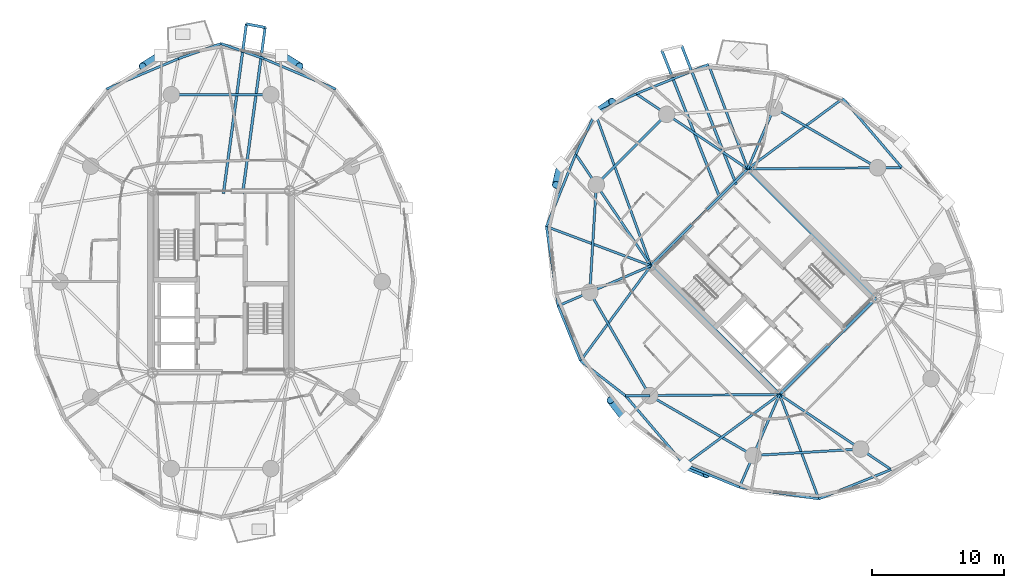
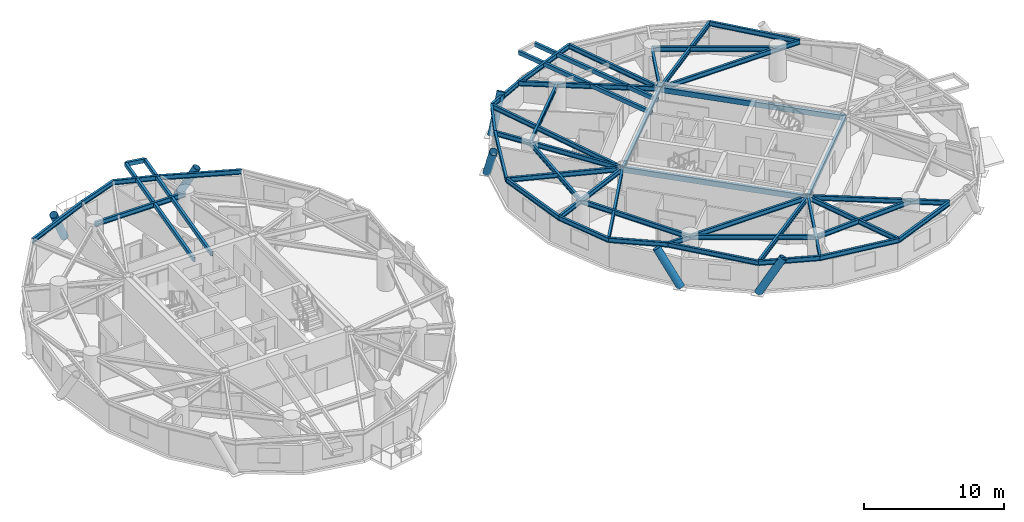
# One storey, part 6 of 19: 48 beams, 6 members.
"""IFC4 building model written with IfcOpenShell, lengths in metres."""

from ifc_helpers import new_model, si_unit, direction, frame, origin, origin_2d, place, context, subcontext, project, spatial, hollow_rectangle, hollow_circle, i_section, extrude, material, material_profile, profile_set, type_object, element, save


model = new_model("IFC4")

# Units and contexts
model_context = context("Model", 3, precision=1e-05, world=origin(), true_north=direction((0.0, 1.0)))
body_context = subcontext(model_context, "Body", "Model", "MODEL_VIEW")
ifc_project = project(units=[si_unit("LENGTHUNIT", "METRE"), si_unit("AREAUNIT", "SQUARE_METRE"), si_unit("VOLUMEUNIT", "CUBIC_METRE"), si_unit("PLANEANGLEUNIT", "RADIAN"), si_unit("MASSUNIT", "GRAM", prefix="KILO")], contexts=[model_context])

# Site, building, storey
site_placement = place(None, origin())
site = spatial("IfcSite", under=ifc_project, at=site_placement, CompositionType="ELEMENT")
building_placement = place(site_placement, origin())
building = spatial("IfcBuilding", under=site, at=building_placement, Name="Cununo Teusaquillo Station Towers", CompositionType="ELEMENT")
storey_placement = place(building_placement, frame((0.0, 0.0, 151.60009765625)))
storey = spatial("IfcBuildingStorey", under=building, at=storey_placement, Name="L47", CompositionType="ELEMENT", Elevation=151.60009765625)

# Beams
ifc_material_1 = material(Name="Steel EN 10025-2 S355J2", Category="steel")
ifc_material_profile_1 = material_profile(ifc_material_1, hollow_rectangle(XDim=0.199951171875, YDim=0.35009765625, WallThickness=0.013916015625, at=origin_2d()), Name="RHS 350x200x14")
ifc_profile_set_1 = profile_set([ifc_material_profile_1], Name="Steel EN 10025-2 S355J2")
beam_type_1 = type_object("IfcBeamType", Name="BM-BAL-CANT", PredefinedType="BEAM", material=ifc_profile_set_1)
beam_1_placement = place(storey_placement, frame((18.127685546875, 31.14990234375, 2.514892578125), z_axis=(0.134274846508, 0.990944128392, 0.0), x_axis=(-0.990944128392, 0.134274846508, 0.0)))
element("IfcBeam", 1, at=beam_1_placement, inside=storey, type_object=beam_type_1, Name="L47 Tower A Balcony Cantilever Bracket 1A", PredefinedType="BEAM", context=body_context, shape_type="SweptSolid", body=[
    extrude(hollow_rectangle(XDim=0.199951171875, YDim=0.35009765625, WallThickness=0.013916015625, at=origin_2d()), origin(), (0.0, 0.0, 1.0), 12.671142578125),
])
beam_2_placement = place(storey_placement, frame((16.674560546875, 31.14990234375, 2.514892578125), z_axis=(0.13427925042, 0.990943531644, 0.0), x_axis=(-0.990943531644, 0.13427925042, 0.0)))
element("IfcBeam", 2, at=beam_2_placement, inside=storey, type_object=beam_type_1, Name="L47 Tower A Balcony Cantilever Bracket 1B", PredefinedType="BEAM", context=body_context, shape_type="SweptSolid", body=[
    extrude(hollow_rectangle(XDim=0.199951171875, YDim=0.35009765625, WallThickness=0.013916015625, at=origin_2d()), origin(), (0.0, 0.0, 1.0), 12.947021484375),
])
beam_3_placement = place(storey_placement, frame((55.43115234375, 31.835693359375, 2.514892578125), z_axis=(-0.36614984416, 0.930555904619, 0.0), x_axis=(-0.930555904619, -0.36614984416, 0.0)))
element("IfcBeam", 3, at=beam_3_placement, inside=storey, type_object=beam_type_1, Name="L47 Tower B Balcony Cantilever Bracket 1A", PredefinedType="BEAM", context=body_context, shape_type="SweptSolid", body=[
    extrude(hollow_rectangle(XDim=0.199951171875, YDim=0.35009765625, WallThickness=0.013916015625, at=origin_2d()), origin(), (0.0, 0.0, 1.0), 11.26513671875),
])
beam_4_placement = place(storey_placement, frame((54.257568359375, 30.662109375, 2.514892578125), z_axis=(-0.366167663982, 0.93054889278, 0.0), x_axis=(-0.93054889278, -0.366167663982, 0.0)))
element("IfcBeam", 4, at=beam_4_placement, inside=storey, type_object=beam_type_1, Name="L47 Tower B Balcony Cantilever Bracket 1B", PredefinedType="BEAM", context=body_context, shape_type="SweptSolid", body=[
    extrude(hollow_rectangle(XDim=0.199951171875, YDim=0.35009765625, WallThickness=0.013916015625, at=origin_2d()), origin(), (0.0, 0.0, 1.0), 12.15087890625),
])
ifc_material_2 = material(Name="Steel EN 10025-2 S355J2", Category="steel")
ifc_material_profile_2 = material_profile(ifc_material_2, hollow_rectangle(XDim=0.25, YDim=0.449951171875, WallThickness=0.01611328125, at=origin_2d()), Name="RHS 450x250x16")
ifc_profile_set_2 = profile_set([ifc_material_profile_2], Name="Steel EN 10025-2 S355J2")
beam_type_2 = type_object("IfcBeamType", Name="BM-COUP-1", PredefinedType="USERDEFINED", material=ifc_profile_set_2)
for number, where, z_axis, x_axis, name in (
    (5, (58.70556640625, 15.975830078125, 2.46484375), (-0.707106781187, 0.707106781187, 0.0), (-0.707106781187, -0.707106781187, 0.0), "L47 Tower B Core Beam 1"),
    (6, (66.024169921875, 23.29443359375, 2.46484375), (-0.707106781187, 0.707106781187, 0.0), (-0.707106781187, -0.707106781187, 0.0), "L47 Tower B Core Beam 2"),
):
    element("IfcBeam", number, at=place(storey_placement, frame(where, z_axis=z_axis, x_axis=x_axis)), inside=storey, type_object=beam_type_2, Name=name, ObjectType="COUPLING BEAM", PredefinedType="USERDEFINED", context=body_context, shape_type="SweptSolid", body=[
        extrude(hollow_rectangle(XDim=0.25, YDim=0.449951171875, WallThickness=0.01611328125, at=origin_2d()), origin(), (0.0, 0.0, 1.0), 13.760009765625),
    ])
ifc_material_3 = material(Name="Steel ASTM A572 Grade 50", Category="steel")
ifc_material_profile_3 = material_profile(ifc_material_3, i_section(OverallWidth=0.180908203125, OverallDepth=0.4169921875, WebThickness=0.010986328125, FlangeThickness=0.018310546875, FilletRadius=0.012939453125, at=origin_2d()), Name="W16X57")
ifc_profile_set_3 = profile_set([ifc_material_profile_3], Name="Steel ASTM A572 Grade 50")
beam_type_3 = type_object("IfcBeamType", Name="BM-JOIST-1", PredefinedType="JOIST", material=ifc_profile_set_3)
beam_5_placement = place(storey_placement, frame((56.29443359375, 33.024169921875, 2.4814453125), z_axis=(0.803848430471, 0.594834179272, 0.0), x_axis=(-0.594834179272, 0.803848430471, 0.0)))
element("IfcBeam", 7, at=beam_5_placement, inside=storey, type_object=beam_type_3, Name="L47 Tower B Radial Spandrel Joist V01", PredefinedType="JOIST", context=body_context, shape_type="SweptSolid", body=[
    extrude(i_section(OverallWidth=0.180908203125, OverallDepth=0.4169921875, WebThickness=0.010986328125, FlangeThickness=0.018310546875, FilletRadius=0.012939453125, at=origin_2d()), origin(), (0.0, 0.0, 1.0), 8.936767578125),
])
beam_6_placement = place(storey_placement, frame((56.29443359375, 33.024169921875, 2.4814453125), z_axis=(-0.351348805076, 0.936244635323, 0.0), x_axis=(-0.936244635323, -0.351348805076, 0.0)))
element("IfcBeam", 8, at=beam_6_placement, inside=storey, type_object=beam_type_3, Name="L47 Tower B Radial Spandrel Joist V03", PredefinedType="JOIST", context=body_context, shape_type="SweptSolid", body=[
    extrude(i_section(OverallWidth=0.180908203125, OverallDepth=0.4169921875, WebThickness=0.010986328125, FlangeThickness=0.018310546875, FilletRadius=0.012939453125, at=origin_2d()), origin(), (0.0, 0.0, 1.0), 8.4287109375),
])
beam_7_placement = place(storey_placement, frame((48.975830078125, 25.70556640625, 2.4814453125), z_axis=(-0.34241791496, 0.939547748395, 0.0), x_axis=(-0.939547748395, -0.34241791496, 0.0)))
element("IfcBeam", 9, at=beam_7_placement, inside=storey, type_object=beam_type_3, Name="L47 Tower B Radial Spandrel Joist V05", PredefinedType="JOIST", context=body_context, shape_type="SweptSolid", body=[
    extrude(i_section(OverallWidth=0.180908203125, OverallDepth=0.4169921875, WebThickness=0.010986328125, FlangeThickness=0.018310546875, FilletRadius=0.012939453125, at=origin_2d()), origin(), (0.0, 0.0, 1.0), 12.25634765625),
])
beam_8_placement = place(storey_placement, frame((48.975830078125, 25.70556640625, 2.4814453125), z_axis=(-0.936244635323, 0.351348805076, 0.0), x_axis=(-0.351348805076, -0.936244635323, 0.0)))
element("IfcBeam", 10, at=beam_8_placement, inside=storey, type_object=beam_type_3, Name="L47 Tower B Radial Spandrel Joist V07", PredefinedType="JOIST", context=body_context, shape_type="SweptSolid", body=[
    extrude(i_section(OverallWidth=0.180908203125, OverallDepth=0.4169921875, WebThickness=0.010986328125, FlangeThickness=0.018310546875, FilletRadius=0.012939453125, at=origin_2d()), origin(), (0.0, 0.0, 1.0), 8.4287109375),
])
for number, where, z_axis, x_axis, name in (
    (11, (48.975830078125, 25.70556640625, 2.4814453125), (-0.594834179272, -0.803848430471, 0.0), (0.803848430471, -0.594834179272, 0.0), "L47 Tower B Radial Spandrel Joist V09"),
    (12, (58.70556640625, 15.975830078125, 2.4814453125), (-0.803848430471, -0.594834179272, 0.0), (0.594834179272, -0.803848430471, 0.0), "L47 Tower B Radial Spandrel Joist V11"),
):
    element("IfcBeam", number, at=place(storey_placement, frame(where, z_axis=z_axis, x_axis=x_axis)), inside=storey, type_object=beam_type_3, Name=name, PredefinedType="JOIST", context=body_context, shape_type="SweptSolid", body=[
        extrude(i_section(OverallWidth=0.180908203125, OverallDepth=0.4169921875, WebThickness=0.010986328125, FlangeThickness=0.018310546875, FilletRadius=0.012939453125, at=origin_2d()), origin(), (0.0, 0.0, 1.0), 8.936767578125),
    ])
beam_9_placement = place(storey_placement, frame((58.70556640625, 15.975830078125, 2.4814453125), z_axis=(0.351348805076, -0.936244635323, 0.0), x_axis=(0.936244635323, 0.351348805076, 0.0)))
element("IfcBeam", 13, at=beam_9_placement, inside=storey, type_object=beam_type_3, Name="L47 Tower B Radial Spandrel Joist V13", PredefinedType="JOIST", context=body_context, shape_type="SweptSolid", body=[
    extrude(i_section(OverallWidth=0.180908203125, OverallDepth=0.4169921875, WebThickness=0.010986328125, FlangeThickness=0.018310546875, FilletRadius=0.012939453125, at=origin_2d()), origin(), (0.0, 0.0, 1.0), 8.4287109375),
])
ifc_material_4 = material(Name="Steel ASTM A572 Grade 50", Category="steel")
ifc_material_profile_4 = material_profile(ifc_material_4, i_section(OverallWidth=0.2041015625, OverallDepth=0.35009765625, WebThickness=0.008544921875, FlangeThickness=0.01513671875, FilletRadius=0.011962890625, at=origin_2d()), Name="W14X48")
ifc_profile_set_4 = profile_set([ifc_material_profile_4], Name="Steel ASTM A572 Grade 50")
beam_type_4 = type_object("IfcBeamType", Name="BM-LINTEL-1", PredefinedType="LINTEL", material=ifc_profile_set_4)
for number, where, z_axis, x_axis, name in (
    (14, (58.70556640625, 15.975830078125, 2.514892578125), (0.707106781187, 0.707106781187, 0.0), (-0.707106781187, 0.707106781187, 0.0), "L47 Tower B Core Beam 3"),
    (15, (48.975830078125, 25.70556640625, 2.514892578125), (0.707106781187, 0.707106781187, 0.0), (-0.707106781187, 0.707106781187, 0.0), "L47 Tower B Core Beam 4"),
):
    element("IfcBeam", number, at=place(storey_placement, frame(where, z_axis=z_axis, x_axis=x_axis)), inside=storey, type_object=beam_type_4, Name=name, PredefinedType="LINTEL", context=body_context, shape_type="SweptSolid", body=[
        extrude(i_section(OverallWidth=0.2041015625, OverallDepth=0.35009765625, WebThickness=0.008544921875, FlangeThickness=0.01513671875, FilletRadius=0.011962890625, at=origin_2d()), origin(), (0.0, 0.0, 1.0), 10.35009765625),
    ])
ifc_material_5 = material(Name="Steel ASTM A572 Grade 50", Category="steel")
ifc_material_profile_5 = material_profile(ifc_material_5, i_section(OverallWidth=0.180908203125, OverallDepth=0.4169921875, WebThickness=0.010986328125, FlangeThickness=0.018310546875, FilletRadius=0.012939453125, at=origin_2d()), Name="W16X57")
ifc_profile_set_5 = profile_set([ifc_material_profile_5], Name="Steel ASTM A572 Grade 50")
beam_type_5 = type_object("IfcBeamType", Name="BM-RAD-G2", PredefinedType="BEAM", material=ifc_profile_set_5)
beam_10_placement = place(storey_placement, frame((56.29443359375, 33.024169921875, 2.4814453125), z_axis=(0.999964454788, 0.008431438866, 0.0), x_axis=(-0.008431438866, 0.999964454788, 0.0)))
element("IfcBeam", 16, at=beam_10_placement, inside=storey, type_object=beam_type_5, Name="L47 Tower B Continuous Overhanging Radial Girder 01", PredefinedType="BEAM", context=body_context, shape_type="SweptSolid", body=[
    extrude(i_section(OverallWidth=0.180908203125, OverallDepth=0.4169921875, WebThickness=0.010986328125, FlangeThickness=0.018310546875, FilletRadius=0.012939453125, at=origin_2d()), origin(), (0.0, 0.0, 1.0), 11.640380859375),
])
beam_11_placement = place(storey_placement, frame((56.29443359375, 33.024169921875, 2.4814453125), z_axis=(0.397346986387, 0.917668443616, 0.0), x_axis=(-0.917668443616, 0.397346986387, 0.0)))
element("IfcBeam", 17, at=beam_11_placement, inside=storey, type_object=beam_type_5, Name="L47 Tower B Radial Girder 02A", PredefinedType="BEAM", context=body_context, shape_type="SweptSolid", body=[
    extrude(i_section(OverallWidth=0.180908203125, OverallDepth=0.4169921875, WebThickness=0.010986328125, FlangeThickness=0.018310546875, FilletRadius=0.012939453125, at=origin_2d()), origin(), (0.0, 0.0, 1.0), 5.02490234375),
])
for number, where, z_axis, x_axis, name in (
    (18, (56.29443359375, 33.024169921875, 2.4814453125), (-0.829456923219, 0.558570687133, 0.0), (-0.558570687133, -0.829456923219, 0.0), "L47 Tower B Continuous Overhanging Radial Girder 03"),
    (19, (48.975830078125, 25.70556640625, 2.4814453125), (-0.558570687133, 0.829456923219, 0.0), (-0.829456923219, -0.558570687133, 0.0), "L47 Tower B Continuous Overhanging Radial Girder 04"),
):
    element("IfcBeam", number, at=place(storey_placement, frame(where, z_axis=z_axis, x_axis=x_axis)), inside=storey, type_object=beam_type_5, Name=name, PredefinedType="BEAM", context=body_context, shape_type="SweptSolid", body=[
        extrude(i_section(OverallWidth=0.180908203125, OverallDepth=0.4169921875, WebThickness=0.010986328125, FlangeThickness=0.018310546875, FilletRadius=0.012939453125, at=origin_2d()), origin(), (0.0, 0.0, 1.0), 10.1591796875),
    ])
beam_12_placement = place(storey_placement, frame((48.975830078125, 25.70556640625, 2.4814453125), z_axis=(-0.917655964072, -0.397375806515, 0.0), x_axis=(0.397375806515, -0.917655964072, 0.0)))
element("IfcBeam", 20, at=beam_12_placement, inside=storey, type_object=beam_type_5, Name="L47 Tower B Continuous Overhanging Radial Girder 05", PredefinedType="BEAM", context=body_context, shape_type="SweptSolid", body=[
    extrude(i_section(OverallWidth=0.180908203125, OverallDepth=0.4169921875, WebThickness=0.010986328125, FlangeThickness=0.018310546875, FilletRadius=0.012939453125, at=origin_2d()), origin(), (0.0, 0.0, 1.0), 7.6318359375),
])
beam_13_placement = place(storey_placement, frame((58.70556640625, 15.975830078125, 2.4814453125), z_axis=(-0.999964431382, -0.008434214327, 0.0), x_axis=(0.008434214327, -0.999964431382, 0.0)))
element("IfcBeam", 21, at=beam_13_placement, inside=storey, type_object=beam_type_5, Name="L47 Tower B Radial Girder 06A", PredefinedType="BEAM", context=body_context, shape_type="SweptSolid", body=[
    extrude(i_section(OverallWidth=0.180908203125, OverallDepth=0.4169921875, WebThickness=0.010986328125, FlangeThickness=0.018310546875, FilletRadius=0.012939453125, at=origin_2d()), origin(), (0.0, 0.0, 1.0), 9.812744140625),
])
beam_14_placement = place(storey_placement, frame((48.89306640625, 15.89306640625, 2.4814453125), z_axis=(-0.999964580337, -0.008416535546, 0.0), x_axis=(0.008416535546, -0.999964580337, 0.0)))
element("IfcBeam", 22, at=beam_14_placement, inside=storey, type_object=beam_type_5, Name="L47 Tower B Perimeter Overhang Girder 06B", PredefinedType="BEAM", context=body_context, shape_type="SweptSolid", body=[
    extrude(i_section(OverallWidth=0.180908203125, OverallDepth=0.4169921875, WebThickness=0.010986328125, FlangeThickness=0.018310546875, FilletRadius=0.012939453125, at=origin_2d()), origin(), (0.0, 0.0, 1.0), 1.827392578125),
])
beam_15_placement = place(storey_placement, frame((58.70556640625, 15.975830078125, 2.4814453125), z_axis=(-0.397375806515, -0.917655964072, 0.0), x_axis=(0.917655964072, -0.397375806515, 0.0)))
element("IfcBeam", 23, at=beam_15_placement, inside=storey, type_object=beam_type_5, Name="L47 Tower B Continuous Overhanging Radial Girder 07", PredefinedType="BEAM", context=body_context, shape_type="SweptSolid", body=[
    extrude(i_section(OverallWidth=0.180908203125, OverallDepth=0.4169921875, WebThickness=0.010986328125, FlangeThickness=0.018310546875, FilletRadius=0.012939453125, at=origin_2d()), origin(), (0.0, 0.0, 1.0), 7.6318359375),
])
beam_16_placement = place(storey_placement, frame((58.70556640625, 15.975830078125, 2.4814453125), z_axis=(0.829456923219, -0.558570687133, 0.0), x_axis=(0.558570687133, 0.829456923219, 0.0)))
element("IfcBeam", 24, at=beam_16_placement, inside=storey, type_object=beam_type_5, Name="L47 Tower B Continuous Overhanging Radial Girder 08", PredefinedType="BEAM", context=body_context, shape_type="SweptSolid", body=[
    extrude(i_section(OverallWidth=0.180908203125, OverallDepth=0.4169921875, WebThickness=0.010986328125, FlangeThickness=0.018310546875, FilletRadius=0.012939453125, at=origin_2d()), origin(), (0.0, 0.0, 1.0), 10.1591796875),
])
ifc_material_6 = material(Name="Steel ASTM A572 Grade 50", Category="steel")
ifc_material_profile_6 = material_profile(ifc_material_6, i_section(OverallWidth=0.180908203125, OverallDepth=0.4169921875, WebThickness=0.010986328125, FlangeThickness=0.018310546875, FilletRadius=0.012939453125, at=origin_2d()), Name="W16X57")
ifc_profile_set_6 = profile_set([ifc_material_profile_6], Name="Steel ASTM A572 Grade 50")
beam_type_6 = type_object("IfcBeamType", Name="BM-RING-Z3", PredefinedType="SPANDREL", material=ifc_profile_set_6)
beam_17_placement = place(storey_placement, frame((20.261474609375, 38.623291015625, 2.4814453125), z_axis=(-1.0, 0.0, 0.0), x_axis=(0.0, -1.0, 0.0)))
element("IfcBeam", 25, at=beam_17_placement, inside=storey, type_object=beam_type_6, Name="L47 Tower A Structural Column Ring Girder 03", PredefinedType="SPANDREL", context=body_context, shape_type="SweptSolid", body=[
    extrude(i_section(OverallWidth=0.180908203125, OverallDepth=0.4169921875, WebThickness=0.010986328125, FlangeThickness=0.018310546875, FilletRadius=0.012939453125, at=origin_2d()), origin(), (0.0, 0.0, 1.0), 7.52294921875),
])
beam_18_placement = place(storey_placement, frame((25.160888671875, 39.05419921875, 2.4814453125), z_axis=(-0.921042081118, 0.38946307246, 0.0), x_axis=(-0.38946307246, -0.921042081118, 0.0)))
element("IfcBeam", 26, at=beam_18_placement, inside=storey, type_object=beam_type_6, Name="L47 Tower A Spandrel Ring Beam 04", PredefinedType="SPANDREL", context=body_context, shape_type="SweptSolid", body=[
    extrude(i_section(OverallWidth=0.180908203125, OverallDepth=0.4169921875, WebThickness=0.010986328125, FlangeThickness=0.018310546875, FilletRadius=0.012939453125, at=origin_2d()), origin(), (0.0, 0.0, 1.0), 5.8974609375),
])
for number, where, z_axis, x_axis, name in (
    (27, (19.72900390625, 41.35107421875, 2.4814453125), (-0.943057449198, 0.332629895698, 0.0), (-0.332629895698, -0.943057449198, 0.0), "L47 Tower A Spandrel Ring Beam 05"),
    (28, (16.5, 42.489990234375, 2.4814453125), (-0.943057449198, -0.332629895698, 0.0), (0.332629895698, -0.943057449198, 0.0), "L47 Tower A Spandrel Ring Beam 06"),
):
    element("IfcBeam", number, at=place(storey_placement, frame(where, z_axis=z_axis, x_axis=x_axis)), inside=storey, type_object=beam_type_6, Name=name, PredefinedType="SPANDREL", context=body_context, shape_type="SweptSolid", body=[
        extrude(i_section(OverallWidth=0.180908203125, OverallDepth=0.4169921875, WebThickness=0.010986328125, FlangeThickness=0.018310546875, FilletRadius=0.012939453125, at=origin_2d()), origin(), (0.0, 0.0, 1.0), 3.424072265625),
    ])
beam_19_placement = place(storey_placement, frame((13.27099609375, 41.35107421875, 2.4814453125), z_axis=(-0.921042081118, -0.38946307246, 0.0), x_axis=(0.38946307246, -0.921042081118, 0.0)))
element("IfcBeam", 29, at=beam_19_placement, inside=storey, type_object=beam_type_6, Name="L47 Tower A Spandrel Ring Beam 07", PredefinedType="SPANDREL", context=body_context, shape_type="SweptSolid", body=[
    extrude(i_section(OverallWidth=0.180908203125, OverallDepth=0.4169921875, WebThickness=0.010986328125, FlangeThickness=0.018310546875, FilletRadius=0.012939453125, at=origin_2d()), origin(), (0.0, 0.0, 1.0), 5.8974609375),
])
beam_20_placement = place(storey_placement, frame((66.10693359375, 33.10693359375, 2.4814453125), z_axis=(-0.865267103202, 0.501311121078, 0.0), x_axis=(-0.501311121078, -0.865267103202, 0.0)))
element("IfcBeam", 30, at=beam_20_placement, inside=storey, type_object=beam_type_6, Name="L47 Tower B Structural Column Ring Girder 01", PredefinedType="SPANDREL", context=body_context, shape_type="SweptSolid", body=[
    extrude(i_section(OverallWidth=0.180908203125, OverallDepth=0.4169921875, WebThickness=0.010986328125, FlangeThickness=0.018310546875, FilletRadius=0.012939453125, at=origin_2d()), origin(), (0.0, 0.0, 1.0), 9.032958984375),
])
beam_21_placement = place(storey_placement, frame((50.173095703125, 37.146240234375, 2.4814453125), z_axis=(-0.707106781187, -0.707106781187, 0.0), x_axis=(0.707106781187, -0.707106781187, 0.0)))
element("IfcBeam", 31, at=beam_21_placement, inside=storey, type_object=beam_type_6, Name="L47 Tower B Structural Column Ring Girder 03", PredefinedType="SPANDREL", context=body_context, shape_type="SweptSolid", body=[
    extrude(i_section(OverallWidth=0.180908203125, OverallDepth=0.4169921875, WebThickness=0.010986328125, FlangeThickness=0.018310546875, FilletRadius=0.012939453125, at=origin_2d()), origin(), (0.0, 0.0, 1.0), 7.522705078125),
])
beam_22_placement = place(storey_placement, frame((44.853759765625, 31.826904296875, 2.4814453125), z_axis=(-0.06012979176, -0.998190567048, 0.0), x_axis=(0.998190567048, -0.06012979176, 0.0)))
element("IfcBeam", 32, at=beam_22_placement, inside=storey, type_object=beam_type_6, Name="L47 Tower B Structural Column Ring Girder 04", PredefinedType="SPANDREL", context=body_context, shape_type="SweptSolid", body=[
    extrude(i_section(OverallWidth=0.180908203125, OverallDepth=0.4169921875, WebThickness=0.010986328125, FlangeThickness=0.018310546875, FilletRadius=0.012939453125, at=origin_2d()), origin(), (0.0, 0.0, 1.0), 8.132568359375),
])
for number, where, z_axis, x_axis, name in (
    (33, (44.36474609375, 23.708984375, 2.4814453125), (0.501311121078, -0.865267103202, 0.0), (0.865267103202, 0.501311121078, 0.0), "L47 Tower B Structural Column Ring Girder 05"),
    (34, (48.89306640625, 15.89306640625, 2.4814453125), (0.865267103202, -0.501311121078, 0.0), (0.501311121078, 0.865267103202, 0.0), "L47 Tower B Structural Column Ring Girder 06"),
):
    element("IfcBeam", number, at=place(storey_placement, frame(where, z_axis=z_axis, x_axis=x_axis)), inside=storey, type_object=beam_type_6, Name=name, PredefinedType="SPANDREL", context=body_context, shape_type="SweptSolid", body=[
        extrude(i_section(OverallWidth=0.180908203125, OverallDepth=0.4169921875, WebThickness=0.010986328125, FlangeThickness=0.018310546875, FilletRadius=0.012939453125, at=origin_2d()), origin(), (0.0, 0.0, 1.0), 9.032958984375),
    ])
beam_23_placement = place(storey_placement, frame((56.708984375, 11.36474609375, 2.4814453125), z_axis=(0.998190567048, 0.06012979176, 0.0), x_axis=(-0.06012979176, 0.998190567048, 0.0)))
element("IfcBeam", 35, at=beam_23_placement, inside=storey, type_object=beam_type_6, Name="L47 Tower B Structural Column Ring Girder 07", PredefinedType="SPANDREL", context=body_context, shape_type="SweptSolid", body=[
    extrude(i_section(OverallWidth=0.180908203125, OverallDepth=0.4169921875, WebThickness=0.010986328125, FlangeThickness=0.018310546875, FilletRadius=0.012939453125, at=origin_2d()), origin(), (0.0, 0.0, 1.0), 8.132568359375),
])
beam_24_placement = place(storey_placement, frame((67.934326171875, 33.122314453125, 2.4814453125), z_axis=(-0.64941898982, 0.760430782952, 0.0), x_axis=(-0.760430782952, -0.64941898982, 0.0)))
element("IfcBeam", 36, at=beam_24_placement, inside=storey, type_object=beam_type_6, Name="L47 Tower B Spandrel Ring Beam 01", PredefinedType="SPANDREL", context=body_context, shape_type="SweptSolid", body=[
    extrude(i_section(OverallWidth=0.180908203125, OverallDepth=0.4169921875, WebThickness=0.010986328125, FlangeThickness=0.018310546875, FilletRadius=0.012939453125, at=origin_2d()), origin(), (0.0, 0.0, 1.0), 6.861572265625),
])
beam_25_placement = place(storey_placement, frame((53.3330078125, 40.91552734375, 2.4814453125), z_axis=(-0.926667183359, -0.375882869104, 0.0), x_axis=(0.375882869104, -0.926667183359, 0.0)))
element("IfcBeam", 37, at=beam_25_placement, inside=storey, type_object=beam_type_6, Name="L47 Tower B Spandrel Ring Beam 04", PredefinedType="SPANDREL", context=body_context, shape_type="SweptSolid", body=[
    extrude(i_section(OverallWidth=0.180908203125, OverallDepth=0.4169921875, WebThickness=0.010986328125, FlangeThickness=0.018310546875, FilletRadius=0.012939453125, at=origin_2d()), origin(), (0.0, 0.0, 1.0), 5.8974609375),
])
for number, where, z_axis, x_axis, name in (
    (38, (47.867919921875, 38.69873046875, 2.4814453125), (-0.902077503555, -0.431574069634, 0.0), (0.431574069634, -0.902077503555, 0.0), "L47 Tower B Spandrel Ring Beam 05"),
    (39, (44.779052734375, 37.220947265625, 2.4814453125), (-0.431574069634, -0.902077503555, 0.0), (0.902077503555, -0.431574069634, 0.0), "L47 Tower B Spandrel Ring Beam 06"),
):
    element("IfcBeam", number, at=place(storey_placement, frame(where, z_axis=z_axis, x_axis=x_axis)), inside=storey, type_object=beam_type_6, Name=name, PredefinedType="SPANDREL", context=body_context, shape_type="SweptSolid", body=[
        extrude(i_section(OverallWidth=0.180908203125, OverallDepth=0.4169921875, WebThickness=0.010986328125, FlangeThickness=0.018310546875, FilletRadius=0.012939453125, at=origin_2d()), origin(), (0.0, 0.0, 1.0), 3.424072265625),
    ])
beam_26_placement = place(storey_placement, frame((43.30126953125, 34.132080078125, 2.4814453125), z_axis=(-0.375882869104, -0.926667183359, 0.0), x_axis=(0.926667183359, -0.375882869104, 0.0)))
element("IfcBeam", 40, at=beam_26_placement, inside=storey, type_object=beam_type_6, Name="L47 Tower B Spandrel Ring Beam 07", PredefinedType="SPANDREL", context=body_context, shape_type="SweptSolid", body=[
    extrude(i_section(OverallWidth=0.180908203125, OverallDepth=0.4169921875, WebThickness=0.010986328125, FlangeThickness=0.018310546875, FilletRadius=0.012939453125, at=origin_2d()), origin(), (0.0, 0.0, 1.0), 5.8974609375),
])
beam_27_placement = place(storey_placement, frame((41.08447265625, 28.6669921875, 2.4814453125), z_axis=(0.146535519435, -0.989205409176, 0.0), x_axis=(0.989205409176, 0.146535519435, 0.0)))
element("IfcBeam", 41, at=beam_27_placement, inside=storey, type_object=beam_type_6, Name="L47 Tower B Spandrel Ring Beam 08", PredefinedType="SPANDREL", context=body_context, shape_type="SweptSolid", body=[
    extrude(i_section(OverallWidth=0.180908203125, OverallDepth=0.4169921875, WebThickness=0.010986328125, FlangeThickness=0.018310546875, FilletRadius=0.012939453125, at=origin_2d()), origin(), (0.0, 0.0, 1.0), 6.0595703125),
])
beam_28_placement = place(storey_placement, frame((41.972412109375, 22.6728515625, 2.4814453125), z_axis=(0.376588942192, -0.926380466449, 0.0), x_axis=(0.926380466449, 0.376588942192, 0.0)))
element("IfcBeam", 42, at=beam_28_placement, inside=storey, type_object=beam_type_6, Name="L47 Tower B Spandrel Ring Beam 09", PredefinedType="SPANDREL", context=body_context, shape_type="SweptSolid", body=[
    extrude(i_section(OverallWidth=0.180908203125, OverallDepth=0.4169921875, WebThickness=0.010986328125, FlangeThickness=0.018310546875, FilletRadius=0.012939453125, at=origin_2d()), origin(), (0.0, 0.0, 1.0), 4.48095703125),
])
beam_29_placement = place(storey_placement, frame((43.659912109375, 18.521728515625, 2.4814453125), z_axis=(0.789900716386, -0.613234749711, 0.0), x_axis=(0.613234749711, 0.789900716386, 0.0)))
element("IfcBeam", 43, at=beam_29_placement, inside=storey, type_object=beam_type_6, Name="L47 Tower B Spandrel Ring Beam 10", PredefinedType="SPANDREL", context=body_context, shape_type="SweptSolid", body=[
    extrude(i_section(OverallWidth=0.180908203125, OverallDepth=0.4169921875, WebThickness=0.010986328125, FlangeThickness=0.018310546875, FilletRadius=0.012939453125, at=origin_2d()), origin(), (0.0, 0.0, 1.0), 4.3115234375),
])
beam_30_placement = place(storey_placement, frame((47.065673828125, 15.877685546875, 2.4814453125), z_axis=(0.64941898982, -0.760430782952, 0.0), x_axis=(0.760430782952, 0.64941898982, 0.0)))
element("IfcBeam", 44, at=beam_30_placement, inside=storey, type_object=beam_type_6, Name="L47 Tower B Spandrel Ring Beam 11", PredefinedType="SPANDREL", context=body_context, shape_type="SweptSolid", body=[
    extrude(i_section(OverallWidth=0.180908203125, OverallDepth=0.4169921875, WebThickness=0.010986328125, FlangeThickness=0.018310546875, FilletRadius=0.012939453125, at=origin_2d()), origin(), (0.0, 0.0, 1.0), 6.861572265625),
])
beam_31_placement = place(storey_placement, frame((51.521728515625, 10.659912109375, 2.4814453125), z_axis=(0.926380466449, -0.376588942192, 0.0), x_axis=(0.376588942192, 0.926380466449, 0.0)))
element("IfcBeam", 45, at=beam_31_placement, inside=storey, type_object=beam_type_6, Name="L47 Tower B Spandrel Ring Beam 12", PredefinedType="SPANDREL", context=body_context, shape_type="SweptSolid", body=[
    extrude(i_section(OverallWidth=0.180908203125, OverallDepth=0.4169921875, WebThickness=0.010986328125, FlangeThickness=0.018310546875, FilletRadius=0.012939453125, at=origin_2d()), origin(), (0.0, 0.0, 1.0), 4.48095703125),
])
beam_32_placement = place(storey_placement, frame((55.6728515625, 8.972412109375, 2.4814453125), z_axis=(0.989205409176, -0.146535519435, 0.0), x_axis=(0.146535519435, 0.989205409176, 0.0)))
element("IfcBeam", 46, at=beam_32_placement, inside=storey, type_object=beam_type_6, Name="L47 Tower B Spandrel Ring Beam 13", PredefinedType="SPANDREL", context=body_context, shape_type="SweptSolid", body=[
    extrude(i_section(OverallWidth=0.180908203125, OverallDepth=0.4169921875, WebThickness=0.010986328125, FlangeThickness=0.018310546875, FilletRadius=0.012939453125, at=origin_2d()), origin(), (0.0, 0.0, 1.0), 6.0595703125),
])
beam_33_placement = place(storey_placement, frame((61.6669921875, 8.08447265625, 2.4814453125), z_axis=(0.926667183359, 0.375882869104, 0.0), x_axis=(-0.375882869104, 0.926667183359, 0.0)))
element("IfcBeam", 47, at=beam_33_placement, inside=storey, type_object=beam_type_6, Name="L47 Tower B Spandrel Ring Beam 14", PredefinedType="SPANDREL", context=body_context, shape_type="SweptSolid", body=[
    extrude(i_section(OverallWidth=0.180908203125, OverallDepth=0.4169921875, WebThickness=0.010986328125, FlangeThickness=0.018310546875, FilletRadius=0.012939453125, at=origin_2d()), origin(), (0.0, 0.0, 1.0), 5.8974609375),
])
ifc_material_7 = material(Name="Steel EN 10025-2 S355J2", Category="steel")
ifc_material_profile_7 = material_profile(ifc_material_7, hollow_rectangle(XDim=0.199951171875, YDim=0.35009765625, WallThickness=0.013916015625, at=origin_2d()), Name="RHS 350x200x14")
ifc_profile_set_7 = profile_set([ifc_material_profile_7], Name="Steel EN 10025-2 S355J2")
beam_type_7 = type_object("IfcBeamType", Name="BM-STAIR-TRIM", PredefinedType="BEAM", material=ifc_profile_set_7)
beam_34_placement = place(storey_placement, frame((19.8291015625, 43.706298828125, 2.52490234375), z_axis=(-0.981861262275, 0.189600795474, 0.0), x_axis=(-0.189600795474, -0.981861262275, 0.0)))
element("IfcBeam", 48, at=beam_34_placement, inside=storey, type_object=beam_type_7, Name="L47 Tower A Balcony Edge Trimmer Beam 1", PredefinedType="BEAM", context=body_context, shape_type="SweptSolid", body=[
    extrude(hollow_rectangle(XDim=0.199951171875, YDim=0.35009765625, WallThickness=0.013916015625, at=origin_2d()), origin(), (0.0, 0.0, 1.0), 1.442138671875),
])

# Members
ifc_material_8 = material(Name="Steel EN 10025-2 S355J2", Category="steel")
ifc_material_profile_8 = material_profile(ifc_material_8, hollow_circle(Radius=0.304931640625, WallThickness=0.02001953125, at=origin_2d()), Name="CHS 610x20")
ifc_profile_set_8 = profile_set([ifc_material_profile_8], Name="Steel EN 10025-2 S355J2")
member_type = type_object("IfcMemberType", Name="MBR-DIAG-Z3", PredefinedType="BRACE", material=ifc_profile_set_8)
for number, where, z_axis, x_axis, name in (
    (49, (21.053466796875, 41.609619140625, -0.14013671875), (0.411520346825, -0.256026121625, 0.874700879841), (0.528255801217, 0.849085277508, 0.0), "L47 Tower A Folded-Zigzag Diagrid Tube C03"),
    (50, (11.946533203125, 41.609619140625, -0.14013671875), (-0.411520346825, -0.256026121625, 0.874700879841), (0.528255801217, -0.849085277508, 0.0), "L47 Tower A Folded-Zigzag Diagrid Tube C06"),
):
    element("IfcMember", number, at=place(storey_placement, frame(where, z_axis=z_axis, x_axis=x_axis)), inside=storey, type_object=member_type, Name=name, PredefinedType="BRACE", context=body_context, shape_type="SweptSolid", body=[
        extrude(hollow_circle(Radius=0.304931640625, WallThickness=0.02001953125, at=origin_2d()), origin(), (0.0, 0.0, 1.0), 3.3271484375),
    ])
member_1_placement = place(storey_placement, frame((44.779052734375, 37.220947265625, -0.14013671875), z_axis=(0.38866614009, 0.262716380625, 0.883130078131), x_axis=(-0.560009784908, 0.828485993127, 0.0)))
element("IfcMember", 51, at=member_1_placement, inside=storey, type_object=member_type, Name="L47 Tower B Folded-Zigzag Diagrid Tube C04", PredefinedType="BRACE", context=body_context, shape_type="SweptSolid", body=[
    extrude(hollow_circle(Radius=0.304931640625, WallThickness=0.02001953125, at=origin_2d()), origin(), (0.0, 0.0, 1.0), 3.295166015625),
])
member_2_placement = place(storey_placement, frame((42.181884765625, 33.37841796875, -0.14013671875), z_axis=(-0.109927071769, -0.471996612561, 0.874720090442), x_axis=(0.973934946647, -0.226827510895, 0.0)))
element("IfcMember", 52, at=member_2_placement, inside=storey, type_object=member_type, Name="L47 Tower B Folded-Zigzag Diagrid Tube C06", PredefinedType="BRACE", context=body_context, shape_type="SweptSolid", body=[
    extrude(hollow_circle(Radius=0.304931640625, WallThickness=0.02001953125, at=origin_2d()), origin(), (0.0, 0.0, 1.0), 3.326904296875),
])
member_3_placement = place(storey_placement, frame((47.080810546875, 14.080810546875, -0.14013671875), z_axis=(-0.329742157054, 0.428008284782, 0.841474312156), x_axis=(-0.792172058545, -0.610297820462, 0.0)))
element("IfcMember", 53, at=member_3_placement, inside=storey, type_object=member_type, Name="L47 Tower B Folded-Zigzag Diagrid Tube C09", PredefinedType="BRACE", context=body_context, shape_type="SweptSolid", body=[
    extrude(hollow_circle(Radius=0.304931640625, WallThickness=0.02001953125, at=origin_2d()), origin(), (0.0, 0.0, 1.0), 3.45849609375),
])
member_4_placement = place(storey_placement, frame((51.521728515625, 10.659912109375, -0.14013671875), z_axis=(0.488727189698, -0.200989234819, 0.848969411426), x_axis=(0.380343042419, 0.924845484437, 0.0)))
element("IfcMember", 54, at=member_4_placement, inside=storey, type_object=member_type, Name="L47 Tower B Folded-Zigzag Diagrid Tube C11", PredefinedType="BRACE", context=body_context, shape_type="SweptSolid", body=[
    extrude(hollow_circle(Radius=0.304931640625, WallThickness=0.02001953125, at=origin_2d()), origin(), (0.0, 0.0, 1.0), 3.427978515625),
])

save(model, "model.ifc")
